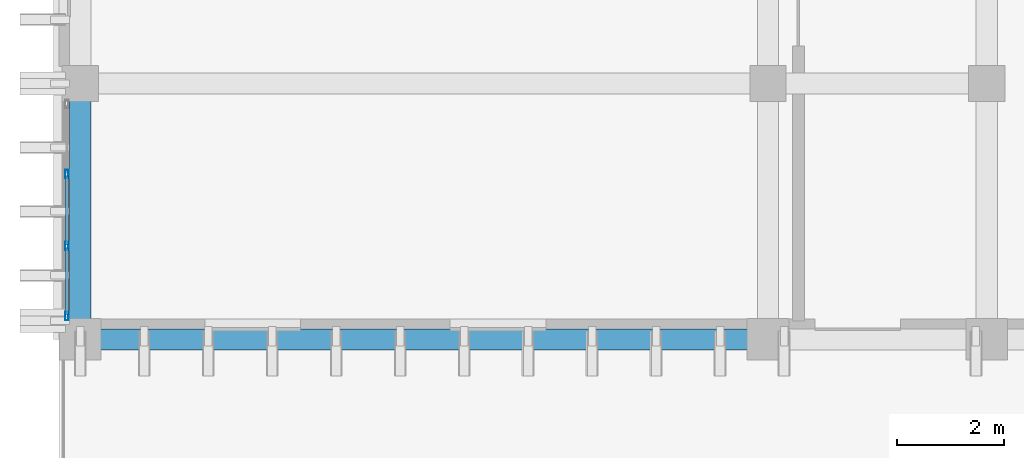
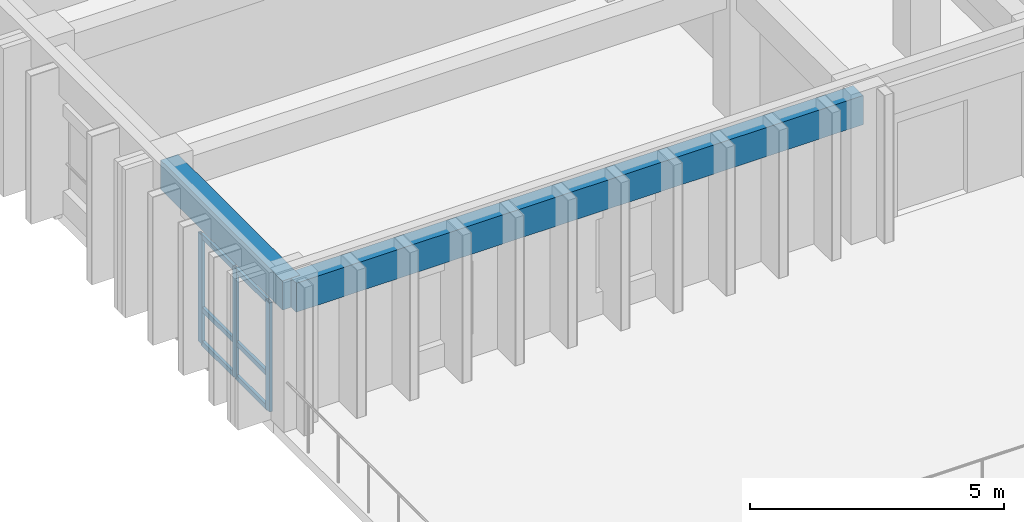
# One storey, part 2 of 68: 9 members, 2 beams, 1 element without a shape of its own.
"""IFC4 building model written with IfcOpenShell, lengths in metres."""

from ifc_helpers import new_model, si_unit, direction, frame, origin, origin_2d, place, context, subcontext, project, spatial, rectangle, hollow_rectangle, extrude, material, layer, layer_set, material_profile, profile_set, type_object, element, aggregate, save


model = new_model("IFC4")

# Units and contexts
model_context = context("Model", 3, precision=1e-05, world=origin(), true_north=direction((0.0, 1.0)))
body_context = subcontext(model_context, "Body", "Model", "MODEL_VIEW")
ifc_project = project(units=[si_unit("LENGTHUNIT", "METRE"), si_unit("AREAUNIT", "SQUARE_METRE"), si_unit("VOLUMEUNIT", "CUBIC_METRE"), si_unit("PLANEANGLEUNIT", "RADIAN"), si_unit("MASSUNIT", "GRAM", prefix="KILO")], contexts=[model_context])

# Site, building, storey
site_placement = place(None, origin())
site = spatial("IfcSite", under=ifc_project, at=site_placement, CompositionType="ELEMENT")
building_placement = place(site_placement, origin())
building = spatial("IfcBuilding", under=site, at=building_placement, Name="Nakhvara Creek Congress Hotel", CompositionType="ELEMENT")
storey_placement = place(building_placement, frame((0.0, 0.0, 24.60009765625)))
storey = spatial("IfcBuildingStorey", under=building, at=storey_placement, Name="L05", CompositionType="ELEMENT", Elevation=24.60009765625)

# Beams
ifc_material_1 = material(Name="Concrete C40/50", Category="concrete")
ifc_material_profile_1 = material_profile(ifc_material_1, rectangle(XDim=0.39990234375, YDim=0.699951171875, at=origin_2d()), Name="RC-BM 400x700", Category="LoadBearing")
ifc_profile_set_1 = profile_set([ifc_material_profile_1], Name="Concrete C40/50")
beam_type = type_object("IfcBeamType", Name="BM-RC-400X700", PredefinedType="BEAM", material=ifc_profile_set_1)
beam_1_placement = place(storey_placement, frame((149.449951171875, 28.800048828125, 2.989990234375), z_axis=(1.0, 0.0, 0.0), x_axis=(0.0, 1.0, 0.0)))
element("IfcBeam", 1, at=beam_1_placement, inside=storey, type_object=beam_type, Name="Beam B05-L05-2058", PredefinedType="BEAM", context=body_context, shape_type="SweptSolid", body=[
    extrude(rectangle(XDim=0.39990234375, YDim=0.699951171875, at=origin_2d()), origin(), (0.0, 0.0, 1.0), 12.900146484375),
])
beam_2_placement = place(storey_placement, frame((149.449951171875, 28.800048828125, 2.989990234375), z_axis=(0.0, 1.0, 0.0), x_axis=(-1.0, 0.0, 0.0)))
element("IfcBeam", 2, at=beam_2_placement, inside=storey, type_object=beam_type, Name="Beam B05-L05-2059", PredefinedType="BEAM", context=body_context, shape_type="SweptSolid", body=[
    extrude(rectangle(XDim=0.39990234375, YDim=0.699951171875, at=origin_2d()), origin(), (0.0, 0.0, 1.0), 4.800048828125),
])

# Curtain wall, members
ifc_material_2 = material(Name="Bronze-anodised aluminium AW-6063-T6 and double-silver low-E glass", Category="aluminium")
ifc_layer = layer(ifc_material_2, 0.199951171875)
ifc_layer_set = layer_set([ifc_layer], Name="Bronze-anodised aluminium AW-6063-T6 and double-silver low-E glass")
curtain_wall_type = type_object("IfcCurtainWallType", Name="CW-HTL-UNIT", PredefinedType="USERDEFINED", material=ifc_layer_set)
curtain_wall_placement = place(storey_placement, origin())
curtain_wall = element("IfcCurtainWall", 3, at=curtain_wall_placement, inside=storey, type_object=curtain_wall_type, Name="Curtain Wall CW203", ObjectType="UNITISED", PredefinedType="USERDEFINED")
ifc_material_3 = material(Name="Bronze-anodised aluminium AW-6063-T6", Category="aluminium")
ifc_material_profile_2 = material_profile(ifc_material_3, hollow_rectangle(XDim=0.06494140625, YDim=0.159912109375, WallThickness=0.00390625, at=origin_2d()), Name="ALU-MULL 65x160x4", Category="LoadBearing")
ifc_profile_set_2 = profile_set([ifc_material_profile_2], Name="Bronze-anodised aluminium AW-6063-T6")
member_type_1 = type_object("IfcMemberType", Name="CW-MULL-160", PredefinedType="MULLION", material=ifc_profile_set_2)
member_1_placement = place(storey_placement, frame((149.199951171875, 29.237548828125, 0.0), z_axis=(0.0, 0.0, 1.0), x_axis=(-1.0, 0.0, 0.0)))
member_1 = element("IfcMember", 4, at=member_1_placement, type_object=member_type_1, Name="CW203 mullion 1", PredefinedType="MULLION", context=body_context, shape_type="SweptSolid", body=[
    extrude(hollow_rectangle(XDim=0.06494140625, YDim=0.159912109375, WallThickness=0.00390625, at=origin_2d()), origin(), (0.0, 0.0, 1.0), 2.6318359375),
])
member_2_placement = place(storey_placement, frame((149.199951171875, 30.5517578125, 0.0), z_axis=(0.0, 0.0, 1.0), x_axis=(-1.0, 0.0, 0.0)))
member_2 = element("IfcMember", 5, at=member_2_placement, type_object=member_type_1, Name="CW203 mullion 2", PredefinedType="MULLION", context=body_context, shape_type="SweptSolid", body=[
    extrude(hollow_rectangle(XDim=0.06494140625, YDim=0.159912109375, WallThickness=0.00390625, at=origin_2d()), origin(), (0.0, 0.0, 1.0), 2.6318359375),
])
member_3_placement = place(storey_placement, frame((149.199951171875, 31.8984375, 0.0), z_axis=(0.0, 0.0, 1.0), x_axis=(-1.0, 0.0, 0.0)))
member_3 = element("IfcMember", 6, at=member_3_placement, type_object=member_type_1, Name="CW203 mullion 3", PredefinedType="MULLION", context=body_context, shape_type="SweptSolid", body=[
    extrude(hollow_rectangle(XDim=0.06494140625, YDim=0.159912109375, WallThickness=0.00390625, at=origin_2d()), origin(), (0.0, 0.0, 1.0), 2.6318359375),
])
ifc_material_profile_3 = material_profile(ifc_material_3, hollow_rectangle(XDim=0.06494140625, YDim=0.1201171875, WallThickness=0.00390625, at=origin_2d()), Name="ALU-TRAN 65x120x4", Category="LoadBearing")
ifc_profile_set_3 = profile_set([ifc_material_profile_3], Name="Bronze-anodised aluminium AW-6063-T6")
member_type_2 = type_object("IfcMemberType", Name="CW-TRAN-120", PredefinedType="USERDEFINED", material=ifc_profile_set_3)
member_4_placement = place(storey_placement, frame((149.199951171875, 29.27001953125, 0.032470703125), z_axis=(0.0, 1.0, 0.0), x_axis=(-1.0, 0.0, 0.0)))
member_4 = element("IfcMember", 7, at=member_4_placement, type_object=member_type_2, Name="CW203 transom 1.1", ObjectType="TRANSOM", PredefinedType="USERDEFINED", context=body_context, shape_type="SweptSolid", body=[
    extrude(hollow_rectangle(XDim=0.06494140625, YDim=0.1201171875, WallThickness=0.00390625, at=origin_2d()), origin(), (0.0, 0.0, 1.0), 1.249267578125),
])
member_5_placement = place(storey_placement, frame((149.199951171875, 29.27001953125, 0.849853515625), z_axis=(0.0, 1.0, 0.0), x_axis=(-1.0, 0.0, 0.0)))
member_5 = element("IfcMember", 8, at=member_5_placement, type_object=member_type_2, Name="CW203 transom 1.2", ObjectType="TRANSOM", PredefinedType="USERDEFINED", context=body_context, shape_type="SweptSolid", body=[
    extrude(hollow_rectangle(XDim=0.06494140625, YDim=0.1201171875, WallThickness=0.00390625, at=origin_2d()), origin(), (0.0, 0.0, 1.0), 1.249267578125),
])
member_6_placement = place(storey_placement, frame((149.199951171875, 29.27001953125, 2.599365234375), z_axis=(0.0, 1.0, 0.0), x_axis=(-1.0, 0.0, 0.0)))
member_6 = element("IfcMember", 9, at=member_6_placement, type_object=member_type_2, Name="CW203 transom 1.3", ObjectType="TRANSOM", PredefinedType="USERDEFINED", context=body_context, shape_type="SweptSolid", body=[
    extrude(hollow_rectangle(XDim=0.06494140625, YDim=0.1201171875, WallThickness=0.00390625, at=origin_2d()), origin(), (0.0, 0.0, 1.0), 1.249267578125),
])
member_7_placement = place(storey_placement, frame((149.199951171875, 30.584228515625, 0.032470703125), z_axis=(0.0, 1.0, 0.0), x_axis=(-1.0, 0.0, 0.0)))
member_7 = element("IfcMember", 10, at=member_7_placement, type_object=member_type_2, Name="CW203 transom 2.1", ObjectType="TRANSOM", PredefinedType="USERDEFINED", context=body_context, shape_type="SweptSolid", body=[
    extrude(hollow_rectangle(XDim=0.06494140625, YDim=0.1201171875, WallThickness=0.00390625, at=origin_2d()), origin(), (0.0, 0.0, 1.0), 1.281494140625),
])
member_8_placement = place(storey_placement, frame((149.199951171875, 30.584228515625, 0.849853515625), z_axis=(0.0, 1.0, 0.0), x_axis=(-1.0, 0.0, 0.0)))
member_8 = element("IfcMember", 11, at=member_8_placement, type_object=member_type_2, Name="CW203 transom 2.2", ObjectType="TRANSOM", PredefinedType="USERDEFINED", context=body_context, shape_type="SweptSolid", body=[
    extrude(hollow_rectangle(XDim=0.06494140625, YDim=0.1201171875, WallThickness=0.00390625, at=origin_2d()), origin(), (0.0, 0.0, 1.0), 1.281494140625),
])
member_9_placement = place(storey_placement, frame((149.199951171875, 30.584228515625, 2.599365234375), z_axis=(0.0, 1.0, 0.0), x_axis=(-1.0, 0.0, 0.0)))
member_9 = element("IfcMember", 12, at=member_9_placement, type_object=member_type_2, Name="CW203 transom 2.3", ObjectType="TRANSOM", PredefinedType="USERDEFINED", context=body_context, shape_type="SweptSolid", body=[
    extrude(hollow_rectangle(XDim=0.06494140625, YDim=0.1201171875, WallThickness=0.00390625, at=origin_2d()), origin(), (0.0, 0.0, 1.0), 1.281494140625),
])
aggregate(curtain_wall, [member_1, member_2, member_3, member_4, member_5, member_6, member_7, member_8, member_9])

save(model, "model.ifc")
